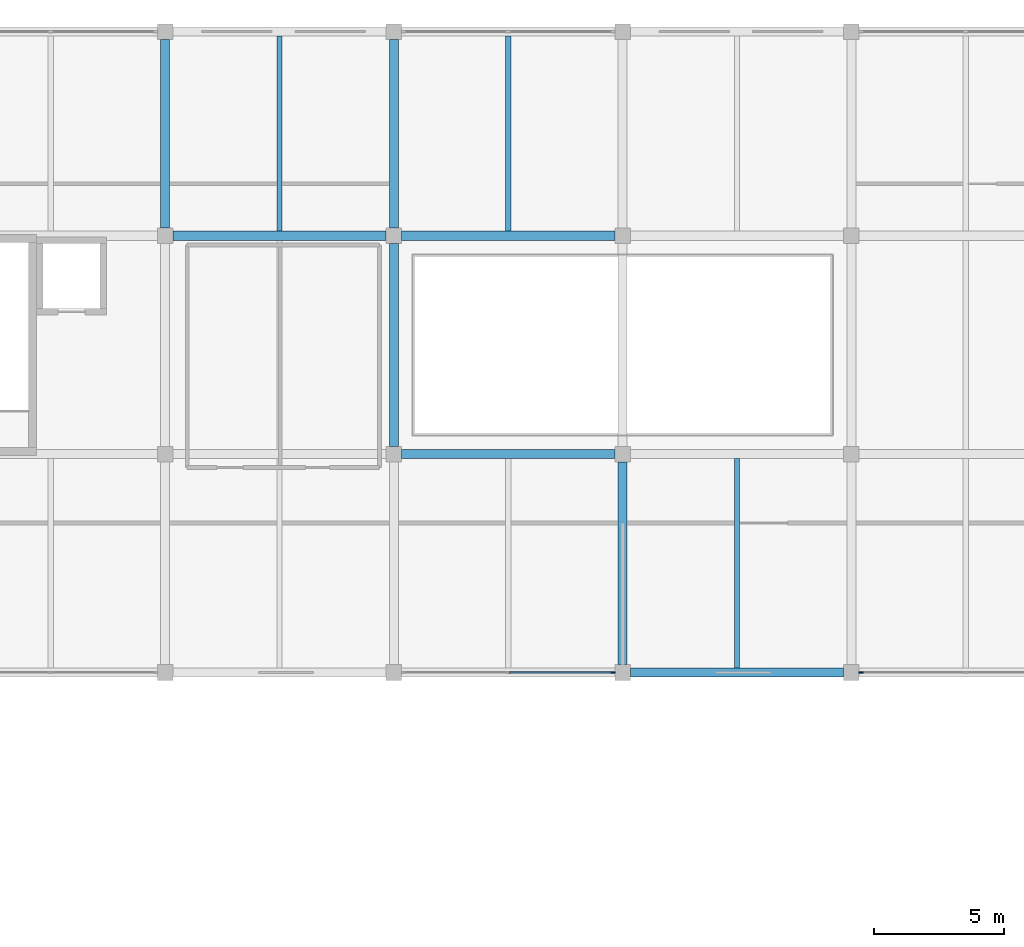
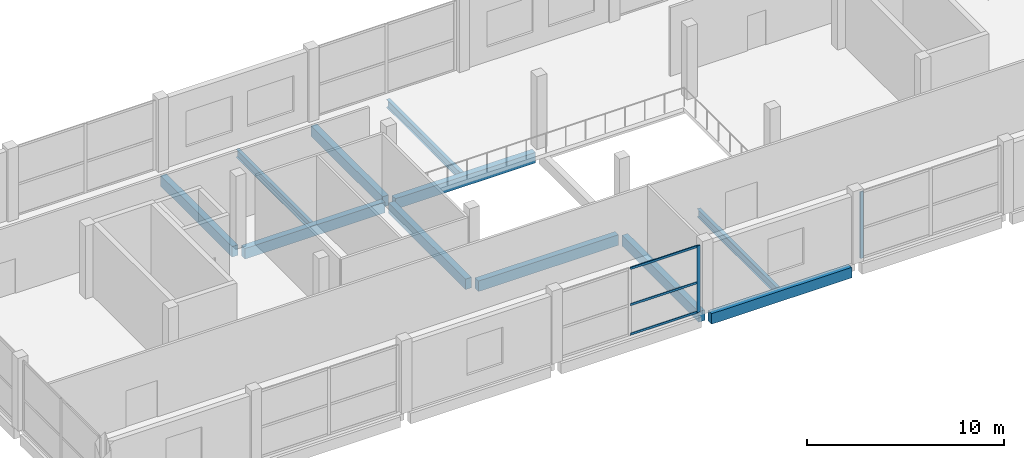
# One storey, part 4 of 18: 11 beams, 5 members, 2 elements without a shape of their own.
"""IFC4 building model written with IfcOpenShell, lengths in metres."""

from ifc_helpers import new_model, si_unit, direction, frame, origin, origin_2d, place, context, subcontext, project, spatial, rectangle, i_section, extrude, material, material_profile, profile_set, type_object, element, aggregate, save


model = new_model("IFC4")

# Units and contexts
model_context = context("Model", 3, precision=1e-05, world=origin(), true_north=direction((0.0, 1.0)))
body_context = subcontext(model_context, "Body", "Model", "MODEL_VIEW")
ifc_project = project(units=[si_unit("LENGTHUNIT", "METRE"), si_unit("AREAUNIT", "SQUARE_METRE"), si_unit("VOLUMEUNIT", "CUBIC_METRE"), si_unit("PLANEANGLEUNIT", "RADIAN"), si_unit("MASSUNIT", "GRAM", prefix="KILO")], contexts=[model_context])

# Site, building, storey
site_placement = place(None, origin())
site = spatial("IfcSite", under=ifc_project, at=site_placement, CompositionType="ELEMENT")
building_placement = place(site_placement, origin())
building = spatial("IfcBuilding", under=site, at=building_placement, Name="Brinegate Botanical Conservatory", CompositionType="ELEMENT")
storey_placement = place(building_placement, frame((0.0, 0.0, 14.699951171875)))
storey = spatial("IfcBuildingStorey", under=building, at=storey_placement, Name="L04", CompositionType="ELEMENT", Elevation=14.699951171875)

# Beams
ifc_material_1 = material(Name="Concrete C40/50", Category="concrete")
ifc_material_profile_1 = material_profile(ifc_material_1, rectangle(XDim=0.35009765625, YDim=0.64990234375, at=origin_2d()), Name="RC BM 350x650")
ifc_profile_set_1 = profile_set([ifc_material_profile_1], Name="Concrete C40/50")
beam_type_1 = type_object("IfcBeamType", Name="Beam_BM-V3", PredefinedType="BEAM", material=ifc_profile_set_1)
for number, where, z_axis, x_axis, name in (
    (1, (86.300048828125, 86.800048828125, -0.56494140625), (1.0, 0.0, 0.0), (0.0, 1.0, 0.0), "Beam BM-V3 L04 L:11-12"),
    (2, (77.5, 95.199951171875, -0.56494140625), (1.0, 0.0, 0.0), (0.0, 1.0, 0.0), "Beam BM-V3 L04 M:10-11"),
    (3, (68.699951171875, 103.60009765625, -0.56494140625), (1.0, 0.0, 0.0), (0.0, 1.0, 0.0), "Beam BM-V3 L04 N:9-10"),
    (4, (77.5, 103.60009765625, -0.56494140625), (1.0, 0.0, 0.0), (0.0, 1.0, 0.0), "Beam BM-V3 L04 N:10-11"),
):
    element("IfcBeam", number, at=place(storey_placement, frame(where, z_axis=z_axis, x_axis=x_axis)), inside=storey, type_object=beam_type_1, Name=name, PredefinedType="BEAM", context=body_context, shape_type="SweptSolid", body=[
        extrude(rectangle(XDim=0.35009765625, YDim=0.64990234375, at=origin_2d()), origin(), (0.0, 0.0, 1.0), 8.199951171875),
    ])
beam_1_placement = place(storey_placement, frame((68.39990234375, 103.89990234375, -0.56494140625), z_axis=(0.0, 1.0, 0.0), x_axis=(-1.0, 0.0, 0.0)))
element("IfcBeam", 5, at=beam_1_placement, inside=storey, type_object=beam_type_1, Name="Beam BM-V3 L04 9:N-P", PredefinedType="BEAM", context=body_context, shape_type="SweptSolid", body=[
    extrude(rectangle(XDim=0.35009765625, YDim=0.64990234375, at=origin_2d()), origin(), (0.0, 0.0, 1.0), 7.25),
])
beam_2_placement = place(storey_placement, frame((77.199951171875, 95.5, -0.56494140625), z_axis=(0.0, 1.0, 0.0), x_axis=(-1.0, 0.0, 0.0)))
element("IfcBeam", 6, at=beam_2_placement, inside=storey, type_object=beam_type_1, Name="Beam BM-V3 L04 10:M-N", PredefinedType="BEAM", context=body_context, shape_type="SweptSolid", body=[
    extrude(rectangle(XDim=0.35009765625, YDim=0.64990234375, at=origin_2d()), origin(), (0.0, 0.0, 1.0), 7.800048828125),
])
beam_3_placement = place(storey_placement, frame((77.199951171875, 103.89990234375, -0.56494140625), z_axis=(0.0, 1.0, 0.0), x_axis=(-1.0, 0.0, 0.0)))
element("IfcBeam", 7, at=beam_3_placement, inside=storey, type_object=beam_type_1, Name="Beam BM-V3 L04 10:N-P", PredefinedType="BEAM", context=body_context, shape_type="SweptSolid", body=[
    extrude(rectangle(XDim=0.35009765625, YDim=0.64990234375, at=origin_2d()), origin(), (0.0, 0.0, 1.0), 7.25),
])
beam_4_placement = place(storey_placement, frame((86.0, 87.10009765625, -0.56494140625), z_axis=(0.0, 1.0, 0.0), x_axis=(-1.0, 0.0, 0.0)))
element("IfcBeam", 8, at=beam_4_placement, inside=storey, type_object=beam_type_1, Name="Beam BM-V3 L04 11:L-M", PredefinedType="BEAM", context=body_context, shape_type="SweptSolid", body=[
    extrude(rectangle(XDim=0.35009765625, YDim=0.64990234375, at=origin_2d()), origin(), (0.0, 0.0, 1.0), 7.7998046875),
])
ifc_material_2 = material(Name="Structural steel Q355B / S355", Category="steel")
ifc_material_profile_2 = material_profile(ifc_material_2, i_section(OverallWidth=0.199951171875, OverallDepth=0.5, WebThickness=0.010009765625, FlangeThickness=0.01611328125, at=origin_2d()), Name="HN 500x200x10x16")
ifc_profile_set_2 = profile_set([ifc_material_profile_2], Name="Structural steel Q355B / S355")
beam_type_2 = type_object("IfcBeamType", Name="Beam_JS-S4", PredefinedType="JOIST", material=ifc_profile_set_2)
for number, where, z_axis, x_axis, name in (
    (9, (72.800048828125, 103.77490234375, -0.489990234375), (0.0, 1.0, 0.0), (-1.0, 0.0, 0.0), "Floor joist JS-S4 L04 bay 9.13"),
    (10, (81.60009765625, 103.77490234375, -0.489990234375), (0.0, 1.0, 0.0), (-1.0, 0.0, 0.0), "Floor joist JS-S4 L04 bay 10.13"),
):
    element("IfcBeam", number, at=place(storey_placement, frame(where, z_axis=z_axis, x_axis=x_axis)), inside=storey, type_object=beam_type_2, Name=name, PredefinedType="JOIST", context=body_context, shape_type="SweptSolid", body=[
        extrude(i_section(OverallWidth=0.199951171875, OverallDepth=0.5, WebThickness=0.010009765625, FlangeThickness=0.01611328125, at=origin_2d()), origin(), (0.0, 0.0, 1.0), 7.5),
    ])
beam_5_placement = place(storey_placement, frame((90.39990234375, 86.97509765625, -0.489990234375), z_axis=(0.0, 1.0, 0.0), x_axis=(-1.0, 0.0, 0.0)))
element("IfcBeam", 11, at=beam_5_placement, inside=storey, type_object=beam_type_2, Name="Floor joist JS-S4 L04 bay 11.11", PredefinedType="JOIST", context=body_context, shape_type="SweptSolid", body=[
    extrude(i_section(OverallWidth=0.199951171875, OverallDepth=0.5, WebThickness=0.010009765625, FlangeThickness=0.01611328125, at=origin_2d()), origin(), (0.0, 0.0, 1.0), 8.0498046875),
])

# Curtain wall, member
ifc_material_3 = material(Name="Thermally broken anodised aluminium AW-6063-T6", Category="aluminium")
curtain_wall_type = type_object("IfcCurtainWallType", Name="CW_CW-V3", PredefinedType="USERDEFINED", material=ifc_material_3)
curtain_wall_1_placement = place(storey_placement, origin())
curtain_wall_1 = element("IfcCurtainWall", 12, at=curtain_wall_1_placement, inside=storey, type_object=curtain_wall_type, Name="Visitor south court curtain wall L04.4", ObjectType="FACTORY CURTAIN WALL", PredefinedType="USERDEFINED")
ifc_material_profile_3 = material_profile(ifc_material_3, rectangle(XDim=0.06494140625, YDim=0.179931640625, at=origin_2d()), Name="ALUM MULLION 65x180")
ifc_profile_set_3 = profile_set([ifc_material_profile_3], Name="Thermally broken anodised aluminium AW-6063-T6")
member_type_1 = type_object("IfcMemberType", Name="Member_ML-02", PredefinedType="MULLION", material=ifc_profile_set_3)
member_1_placement = place(storey_placement, frame((85.62744140625, 86.800048828125, 0.0), z_axis=(0.0, 0.0, 1.0), x_axis=(0.0, -1.0, 0.0)))
member_1 = element("IfcMember", 13, at=member_1_placement, type_object=member_type_1, Name="CW-V3 mullion 1", PredefinedType="MULLION", context=body_context, shape_type="SweptSolid", body=[
    extrude(rectangle(XDim=0.06494140625, YDim=0.179931640625, at=origin_2d()), origin(), (0.0, 0.0, 1.0), 4.125),
])

curtain_wall_2_placement = place(storey_placement, origin())
curtain_wall_2 = element("IfcCurtainWall", 14, at=curtain_wall_2_placement, inside=storey, type_object=curtain_wall_type, Name="Visitor south court curtain wall L04.6", ObjectType="FACTORY CURTAIN WALL", PredefinedType="USERDEFINED")
member_2_placement = place(storey_placement, frame((95.172607421875, 86.800048828125, 0.0), z_axis=(0.0, 0.0, 1.0), x_axis=(0.0, -1.0, 0.0)))
member_2 = element("IfcMember", 15, at=member_2_placement, type_object=member_type_1, Name="CW-V3 mullion 3", PredefinedType="MULLION", context=body_context, shape_type="SweptSolid", body=[
    extrude(rectangle(XDim=0.06494140625, YDim=0.179931640625, at=origin_2d()), origin(), (0.0, 0.0, 1.0), 4.125),
])
aggregate(curtain_wall_2, [member_2])

# Member
ifc_material_profile_4 = material_profile(ifc_material_3, rectangle(XDim=0.06494140625, YDim=0.135009765625, at=origin_2d()), Name="ALUM TRANSOM 65x135")
ifc_profile_set_4 = profile_set([ifc_material_profile_4], Name="Thermally broken anodised aluminium AW-6063-T6")
member_type_2 = type_object("IfcMemberType", Name="Member_TR-02", PredefinedType="USERDEFINED", material=ifc_profile_set_4)
member_3_placement = place(storey_placement, frame((85.594970703125, 86.800048828125, 0.032470703125), z_axis=(-1.0, 0.0, 0.0), x_axis=(0.0, -1.0, 0.0)))
member_3 = element("IfcMember", 16, at=member_3_placement, type_object=member_type_2, Name="CW-V3 transom 1.1", ObjectType="TRANSOM", PredefinedType="USERDEFINED", context=body_context, shape_type="SweptSolid", body=[
    extrude(rectangle(XDim=0.06494140625, YDim=0.135009765625, at=origin_2d()), origin(), (0.0, 0.0, 1.0), 3.96240234375),
])

member_4_placement = place(storey_placement, frame((85.594970703125, 86.800048828125, 1.85595703125), z_axis=(-1.0, 0.0, 0.0), x_axis=(0.0, -1.0, 0.0)))
member_4 = element("IfcMember", 17, at=member_4_placement, type_object=member_type_2, Name="CW-V3 transom 1.2", ObjectType="TRANSOM", PredefinedType="USERDEFINED", context=body_context, shape_type="SweptSolid", body=[
    extrude(rectangle(XDim=0.06494140625, YDim=0.135009765625, at=origin_2d()), origin(), (0.0, 0.0, 1.0), 3.96240234375),
])

member_5_placement = place(storey_placement, frame((85.594970703125, 86.800048828125, 4.092529296875), z_axis=(-1.0, 0.0, 0.0), x_axis=(0.0, -1.0, 0.0)))
member_5 = element("IfcMember", 18, at=member_5_placement, type_object=member_type_2, Name="CW-V3 transom 1.3", ObjectType="TRANSOM", PredefinedType="USERDEFINED", context=body_context, shape_type="SweptSolid", body=[
    extrude(rectangle(XDim=0.06494140625, YDim=0.135009765625, at=origin_2d()), origin(), (0.0, 0.0, 1.0), 3.96240234375),
])

aggregate(curtain_wall_1, [member_1, member_3, member_4, member_5])

save(model, "model.ifc")
